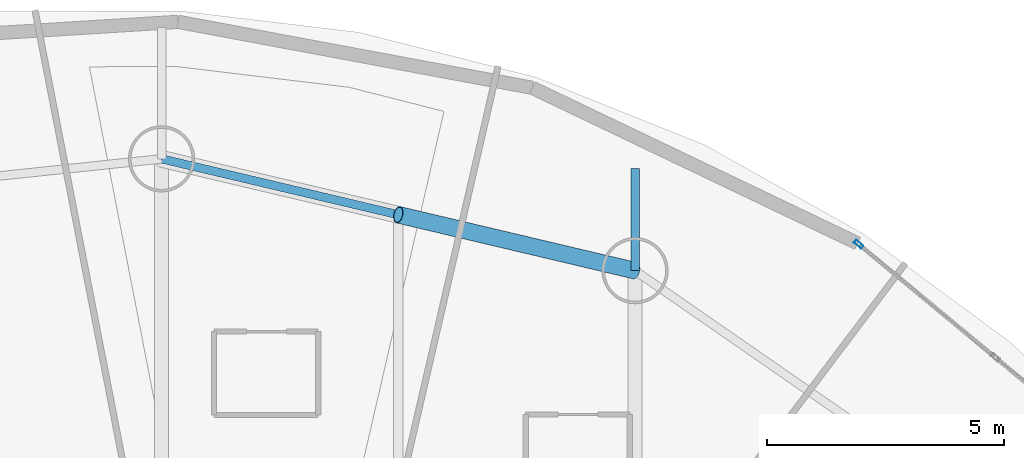
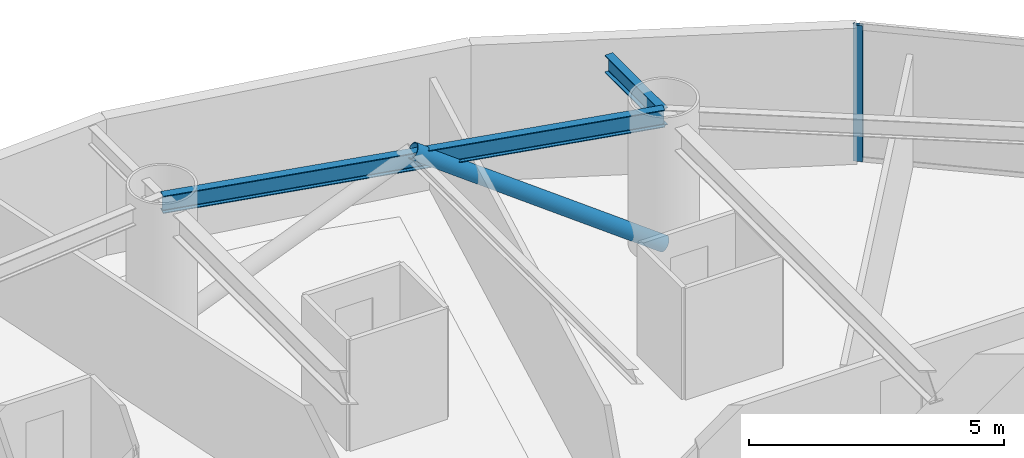
# One storey, part 12 of 20: 2 beams, 2 members, 1 element without a shape of its own.
"""IFC4 building model written with IfcOpenShell, lengths in metres."""

from ifc_helpers import new_model, si_unit, direction, frame, origin, origin_2d, place, context, subcontext, project, spatial, hollow_rectangle, hollow_circle, i_section, extrude, material, layer, layer_set, material_profile, profile_set, type_object, element, aggregate, save


model = new_model("IFC4")

# Units and contexts
model_context = context("Model", 3, precision=1e-05, world=origin(), true_north=direction((0.0, 1.0)))
body_context = subcontext(model_context, "Body", "Model", "MODEL_VIEW")
ifc_project = project(units=[si_unit("LENGTHUNIT", "METRE"), si_unit("AREAUNIT", "SQUARE_METRE"), si_unit("VOLUMEUNIT", "CUBIC_METRE"), si_unit("PLANEANGLEUNIT", "RADIAN"), si_unit("MASSUNIT", "GRAM", prefix="KILO")], contexts=[model_context])

# Site, building, storey
site_placement = place(None, origin())
site = spatial("IfcSite", under=ifc_project, at=site_placement, CompositionType="ELEMENT")
building_placement = place(site_placement, origin())
building = spatial("IfcBuilding", under=site, at=building_placement, Name="Bramvorn Convention Spire", CompositionType="ELEMENT")
storey_placement = place(building_placement, frame((0.0, 0.0, 106.300048828125)))
storey = spatial("IfcBuildingStorey", under=building, at=storey_placement, Name="L25", CompositionType="ELEMENT", Elevation=106.300048828125)

# Beams
ifc_material_1 = material(Name="Steel CSA G40.21 Grade 350 (350W)", Category="steel")
ifc_material_profile_1 = material_profile(ifc_material_1, i_section(OverallWidth=0.180908203125, OverallDepth=0.4169921875, WebThickness=0.010986328125, FlangeThickness=0.018310546875, FilletRadius=0.01611328125, at=origin_2d()))
ifc_profile_set_1 = profile_set([ifc_material_profile_1], Name="Steel CSA G40.21 Grade 350 (350W) - W410X85")
beam_type = type_object("IfcBeamType", Name="BM-W410X85", PredefinedType="JOIST", material=ifc_profile_set_1)
beam_1_placement = place(storey_placement, frame((46.082763671875, 44.154052734375, 3.0263671875), z_axis=(0.0, 1.0, 0.0), x_axis=(-1.0, 0.0, 0.0)))
element("IfcBeam", 1, at=beam_1_placement, inside=storey, type_object=beam_type, Name="L25 Sky-Garden cantilever tip girder MC05", PredefinedType="JOIST", context=body_context, shape_type="SweptSolid", body=[
    extrude(i_section(OverallWidth=0.180908203125, OverallDepth=0.4169921875, WebThickness=0.010986328125, FlangeThickness=0.018310546875, FilletRadius=0.01611328125, at=origin_2d()), origin(), (0.0, 0.0, 1.0), 2.158935546875),
])
beam_2_placement = place(storey_placement, frame((46.082763671875, 44.154052734375, 3.051513671875), z_axis=(-0.97322750491, 0.229843911572, 0.0), x_axis=(-0.229843911572, -0.97322750491, 0.0)))
element("IfcBeam", 2, at=beam_2_placement, inside=storey, type_object=beam_type, Name="L25 mega-column ring beam 05", PredefinedType="JOIST", context=body_context, shape_type="SweptSolid", body=[
    extrude(i_section(OverallWidth=0.180908203125, OverallDepth=0.4169921875, WebThickness=0.010986328125, FlangeThickness=0.018310546875, FilletRadius=0.01611328125, at=origin_2d()), origin(), (0.0, 0.0, 1.0), 10.2822265625),
])

# Curtain wall, member
ifc_material_2 = material(Name="Anodised Bronze Unitised Curtain Wall", Category="aluminium")
ifc_layer = layer(ifc_material_2, 0.179931640625)
ifc_layer_set = layer_set([ifc_layer], Name="Anodised Bronze Unitised Curtain Wall - CW-HTL-FRIT")
curtain_wall_type = type_object("IfcCurtainWallType", Name="CW-HTL-FRIT", PredefinedType="USERDEFINED", material=ifc_layer_set)
curtain_wall_placement = place(storey_placement, origin())
curtain_wall = element("IfcCurtainWall", 3, at=curtain_wall_placement, inside=storey, type_object=curtain_wall_type, Name="L25 fritted glass curtain wall 05", ObjectType="UNITISED CURTAIN WALL", PredefinedType="USERDEFINED")
ifc_material_3 = material(Name="Anodised Bronze Aluminium 6063-T6", Category="aluminium")
ifc_material_profile_2 = material_profile(ifc_material_3, hollow_rectangle(XDim=0.080078125, YDim=0.199951171875, WallThickness=0.00390625, InnerFilletRadius=0.0009765625, OuterFilletRadius=0.00390625, at=origin_2d()))
ifc_profile_set_2 = profile_set([ifc_material_profile_2], Name="Anodised Bronze Aluminium 6063-T6 - CWM80X200")
member_type_1 = type_object("IfcMemberType", Name="CW-MUL-180", PredefinedType="MULLION", material=ifc_profile_set_2)
member_1_placement = place(storey_placement, frame((50.808837890625, 44.713623046875, 0.0), z_axis=(0.0, 0.0, 1.0), x_axis=(0.638095076967, 0.769957578539, 0.0)))
member_1 = element("IfcMember", 4, at=member_1_placement, type_object=member_type_1, Name="CW2 mullion 1", PredefinedType="MULLION", context=body_context, shape_type="SweptSolid", body=[
    extrude(hollow_rectangle(XDim=0.080078125, YDim=0.199951171875, WallThickness=0.00390625, InnerFilletRadius=0.0009765625, OuterFilletRadius=0.00390625, at=origin_2d()), origin(), (0.0, 0.0, 1.0), 3.260009765625),
])
aggregate(curtain_wall, [member_1])

# Member
ifc_material_profile_3 = material_profile(ifc_material_1, hollow_circle(Radius=0.177734375, WallThickness=0.015869140625, at=origin_2d()))
ifc_profile_set_3 = profile_set([ifc_material_profile_3], Name="Steel CSA G40.21 Grade 350 (350W) - CHS356X16")
member_type_2 = type_object("IfcMemberType", Name="MBR-CHS356X16", PredefinedType="BRACE", material=ifc_profile_set_3)
member_2_placement = place(storey_placement, frame((46.082763671875, 44.154052734375, 0.0), z_axis=(-0.82191146009, 0.194108103193, 0.53552179792), x_axis=(-0.229843911572, -0.97322750491, 0.0)))
element("IfcMember", 5, at=member_2_placement, inside=storey, type_object=member_type_2, Name="L25 perimeter Gothic lancet brace 5A", PredefinedType="BRACE", context=body_context, shape_type="SweptSolid", body=[
    extrude(hollow_circle(Radius=0.177734375, WallThickness=0.015869140625, at=origin_2d()), origin(), (0.0, 0.0, 1.0), 6.087646484375),
])

save(model, "model.ifc")
